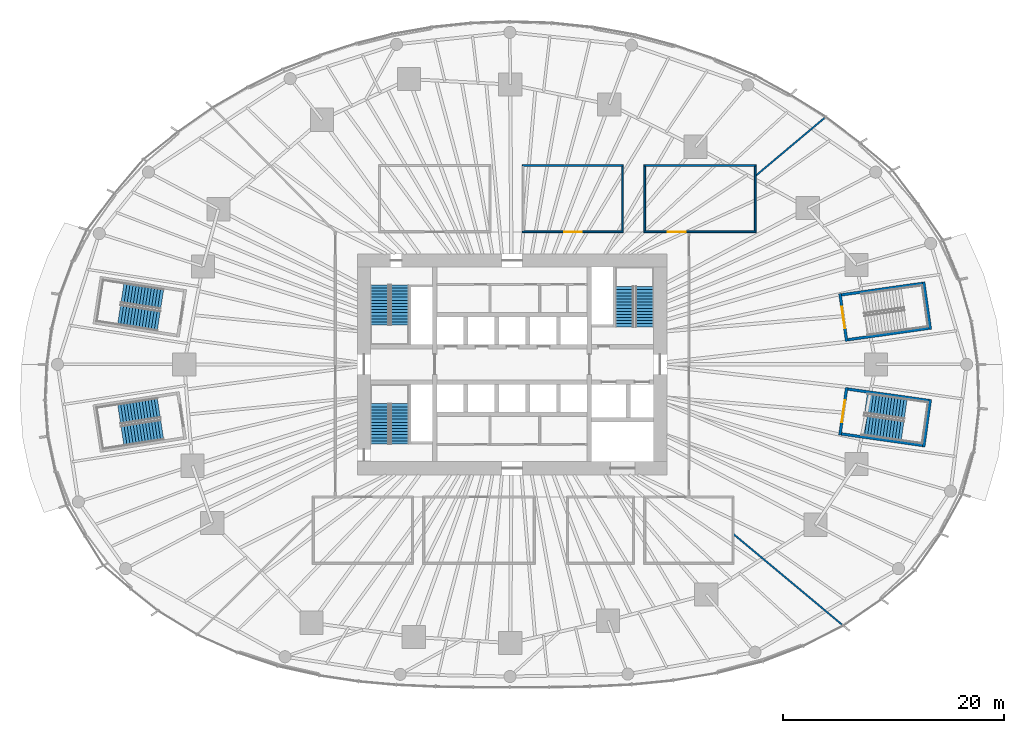
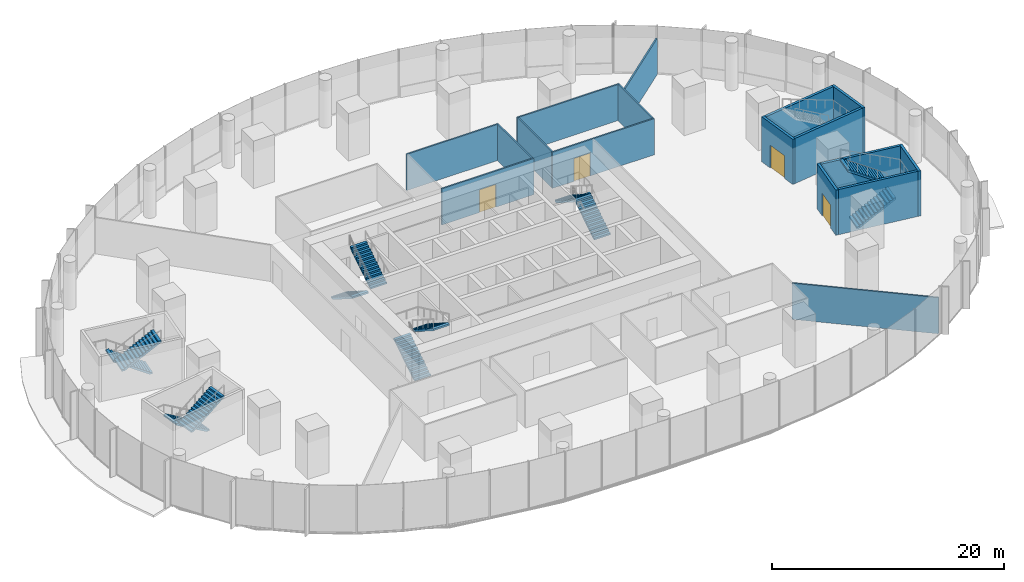
# One storey, part 14 of 28: 17 walls, 12 stair flights, 4 doors, 4 openings, 6 elements without a shape of their own.
"""IFC4 building model written with IfcOpenShell, lengths in metres."""

from ifc_helpers import new_model, si_unit, direction, frame, frame_2d, origin, place, context, subcontext, project, spatial, polyline, rectangle, outline, extrude, material, layer, layer_set, type_object, element, fill, aggregate, save


model = new_model("IFC4")

# Units and contexts
model_context = context("Model", 3, precision=1e-05, world=origin(), true_north=direction((0.0, 1.0)))
body_context = subcontext(model_context, "Body", "Model", "MODEL_VIEW")
ifc_project = project(units=[si_unit("LENGTHUNIT", "METRE"), si_unit("AREAUNIT", "SQUARE_METRE"), si_unit("VOLUMEUNIT", "CUBIC_METRE"), si_unit("PLANEANGLEUNIT", "RADIAN"), si_unit("MASSUNIT", "GRAM", prefix="KILO")], contexts=[model_context])

# Site, building, storey
site_placement = place(None, origin())
site = spatial("IfcSite", under=ifc_project, at=site_placement, CompositionType="ELEMENT")
building_placement = place(site_placement, origin())
building = spatial("IfcBuilding", under=site, at=building_placement, Name="Ghaith Harvest Tower", CompositionType="ELEMENT")
storey_placement = place(building_placement, frame((0.0, 0.0, 5.0)))
storey = spatial("IfcBuildingStorey", under=building, at=storey_placement, Name="L01", CompositionType="ELEMENT", Elevation=5.0)

# Walls
ifc_material_1 = material(Name="Gypsum board on steel studs", Category="steel")
ifc_layer_1 = layer(ifc_material_1, 0.14990234375)
ifc_layer_set_1 = layer_set([ifc_layer_1], Name="PARTITION 150")
wall_type_1 = type_object("IfcWallType", Name="PARTITION 150", PredefinedType="PARTITIONING", material=ifc_layer_set_1)
wall_1_placement = place(storey_placement, frame((20.02001953125, -15.351318359375, 0.0), z_axis=(0.0, 0.0, 1.0), x_axis=(0.768090061495, -0.640341828582, 0.0)))
element("IfcWall", 1, at=wall_1_placement, inside=storey, type_object=wall_type_1, Name="Partition L01 zone division", PredefinedType="PARTITIONING", context=body_context, shape_type="SweptSolid", body=[
    extrude(rectangle(XDim=12.81201171875, YDim=0.14990234375, at=frame_2d((6.406005859375, 0.0))), origin(), (0.0, 0.0, 1.0), 3.800048828125),
])
wall_2_placement = place(storey_placement, frame((22.02001953125, 17.053466796875, 0.0), z_axis=(0.0, 0.0, 1.0), x_axis=(0.765913812557, 0.64294325701, 0.0)))
element("IfcWall", 2, at=wall_2_placement, inside=storey, type_object=wall_type_1, Name="Partition L01 zone division", PredefinedType="PARTITIONING", context=body_context, shape_type="SweptSolid", body=[
    extrude(rectangle(XDim=8.169677734375, YDim=0.14990234375, at=frame_2d((4.0849609375, 0.0))), origin(), (0.0, 0.0, 1.0), 3.800048828125),
])

# Wall, opening, door
wall_3_placement = place(storey_placement, frame((0.925048828125, 12.0, 0.0), z_axis=(0.0, 0.0, 1.0), x_axis=(1.0, 0.0, 0.0)))
wall_3 = element("IfcWall", 3, at=wall_3_placement, inside=storey, type_object=wall_type_1, Name="Partition L01-02", PredefinedType="PARTITIONING", context=body_context, shape_type="SweptSolid", body=[
    extrude(rectangle(XDim=9.14990234375, YDim=0.14990234375, at=frame_2d((4.574951171875, 0.0))), origin(), (0.0, 0.0, 1.0), 3.800048828125),
])
opening_1_placement = place(wall_3_placement, frame((3.77490234375, 0.0, 0.0)))
opening_1 = element("IfcOpeningElement", 4, at=opening_1_placement, cuts=wall_3, Name="Opening 01-029", PredefinedType="OPENING", context=body_context, shape_type="SweptSolid", body=[
    extrude(rectangle(XDim=1.60009765625, YDim=2.39990234375, at=frame_2d((0.800048828125, 1.199951171875))), frame((0.0, 0.0849609375, 0.0), z_axis=(0.0, -1.0, 0.0), x_axis=(1.0, 0.0, 0.0)), (0.0, 0.0, 1.0), 0.169921875),
])
ifc_material_2 = material(Name="Timber door", Category="wood")
door_type_1 = type_object("IfcDoorType", Name="D2 PAIR 1600x2400", OperationType="DOUBLE_DOOR_SINGLE_SWING", PredefinedType="DOOR", material=ifc_material_2)
door_1_placement = place(opening_1_placement, origin())
door_1 = element("IfcDoor", 5, at=door_1_placement, inside=storey, type_object=door_type_1, Name="Servery door", OperationType="DOUBLE_DOOR_SINGLE_SWING", OverallHeight=2.39990234375, OverallWidth=1.60009765625, PredefinedType="DOOR", context=body_context, shape_type="SweptSolid", body=[
    extrude(rectangle(XDim=1.60009765625, YDim=2.39990234375, at=frame_2d((0.800048828125, 1.199951171875))), frame((0.0, 0.02490234375, 0.0), z_axis=(0.0, -1.0, 0.0), x_axis=(1.0, 0.0, 0.0)), (0.0, 0.0, 1.0), 0.050048828125),
])
fill(opening_1, door_1)

# Walls
wall_4_placement = place(storey_placement, frame((0.925048828125, 18.0, 0.0), z_axis=(0.0, 0.0, 1.0), x_axis=(1.0, 0.0, 0.0)))
element("IfcWall", 6, at=wall_4_placement, inside=storey, type_object=wall_type_1, Name="Partition L01-02", PredefinedType="PARTITIONING", context=body_context, shape_type="SweptSolid", body=[
    extrude(rectangle(XDim=9.14990234375, YDim=0.14990234375, at=frame_2d((4.574951171875, 0.0))), origin(), (0.0, 0.0, 1.0), 3.800048828125),
])
wall_5_placement = place(storey_placement, frame((10.0, 12.074951171875, 0.0), z_axis=(0.0, 0.0, 1.0), x_axis=(0.0, 1.0, 0.0)))
element("IfcWall", 7, at=wall_5_placement, inside=storey, type_object=wall_type_1, Name="Partition L01-02", PredefinedType="PARTITIONING", context=body_context, shape_type="SweptSolid", body=[
    extrude(rectangle(XDim=5.85009765625, YDim=0.14990234375, at=frame_2d((2.925048828125, 0.0))), origin(), (0.0, 0.0, 1.0), 3.800048828125),
])

# Wall, opening, door
wall_6_placement = place(storey_placement, frame((11.925048828125, 12.0, 0.0), z_axis=(0.0, 0.0, 1.0), x_axis=(1.0, 0.0, 0.0)))
wall_6 = element("IfcWall", 8, at=wall_6_placement, inside=storey, type_object=wall_type_1, Name="Partition L01-03", PredefinedType="PARTITIONING", context=body_context, shape_type="SweptSolid", body=[
    extrude(rectangle(XDim=10.14990234375, YDim=0.14990234375, at=frame_2d((5.074951171875, 0.0))), origin(), (0.0, 0.0, 1.0), 3.800048828125),
])
opening_2_placement = place(wall_6_placement, frame((2.175048828125, 0.0, 0.0)))
opening_2 = element("IfcOpeningElement", 9, at=opening_2_placement, cuts=wall_6, Name="Opening 01-030", PredefinedType="OPENING", context=body_context, shape_type="SweptSolid", body=[
    extrude(rectangle(XDim=1.60009765625, YDim=2.39990234375, at=frame_2d((0.800048828125, 1.199951171875))), frame((0.0, 0.0849609375, 0.0), z_axis=(0.0, -1.0, 0.0), x_axis=(1.0, 0.0, 0.0)), (0.0, 0.0, 1.0), 0.169921875),
])
door_2_placement = place(opening_2_placement, origin())
door_2 = element("IfcDoor", 10, at=door_2_placement, inside=storey, type_object=door_type_1, Name="Dry store door", OperationType="DOUBLE_DOOR_SINGLE_SWING", OverallHeight=2.39990234375, OverallWidth=1.60009765625, PredefinedType="DOOR", context=body_context, shape_type="SweptSolid", body=[
    extrude(rectangle(XDim=1.60009765625, YDim=2.39990234375, at=frame_2d((0.800048828125, 1.199951171875))), frame((0.0, 0.02490234375, 0.0), z_axis=(0.0, -1.0, 0.0), x_axis=(1.0, 0.0, 0.0)), (0.0, 0.0, 1.0), 0.050048828125),
])
fill(opening_2, door_2)

# Walls
wall_7_placement = place(storey_placement, frame((11.925048828125, 18.0, 0.0), z_axis=(0.0, 0.0, 1.0), x_axis=(1.0, 0.0, 0.0)))
element("IfcWall", 11, at=wall_7_placement, inside=storey, type_object=wall_type_1, Name="Partition L01-03", PredefinedType="PARTITIONING", context=body_context, shape_type="SweptSolid", body=[
    extrude(rectangle(XDim=10.14990234375, YDim=0.14990234375, at=frame_2d((5.074951171875, 0.0))), origin(), (0.0, 0.0, 1.0), 3.800048828125),
])
for number, where, z_axis, x_axis, name in (
    (12, (12.0, 12.074951171875, 0.0), (0.0, 0.0, 1.0), (0.0, 1.0, 0.0), "Partition L01-03"),
    (13, (22.0, 12.074951171875, 0.0), (0.0, 0.0, 1.0), (0.0, 1.0, 0.0), "Partition L01-03"),
):
    element("IfcWall", number, at=place(storey_placement, frame(where, z_axis=z_axis, x_axis=x_axis)), inside=storey, type_object=wall_type_1, Name=name, PredefinedType="PARTITIONING", context=body_context, shape_type="SweptSolid", body=[
        extrude(rectangle(XDim=5.85009765625, YDim=0.14990234375, at=frame_2d((2.925048828125, 0.0))), origin(), (0.0, 0.0, 1.0), 3.800048828125),
    ])

# Wall, opening, door
ifc_material_3 = material(Name="Concrete C40/50", Category="concrete")
ifc_layer_2 = layer(ifc_material_3, 0.25)
ifc_layer_set_2 = layer_set([ifc_layer_2], Name="STAIR ENCLOSURE WALL RC250")
wall_type_2 = type_object("IfcWallType", Name="STAIR ENCLOSURE WALL RC250", PredefinedType="SOLIDWALL", material=ifc_layer_set_2)
wall_8_placement = place(storey_placement, frame((30.281005859375, 2.09130859375, 0.0), z_axis=(0.0, 0.0, 1.0), x_axis=(-0.140250538563, 0.990116046952, 0.0)))
wall_8 = element("IfcWall", 14, at=wall_8_placement, inside=storey, type_object=wall_type_2, Name="Stair PS1 enclosure wall L01", PredefinedType="SOLIDWALL", context=body_context, shape_type="SweptSolid", body=[
    extrude(rectangle(XDim=4.35009765625, YDim=0.25, at=frame_2d((2.175048828125, 0.0))), origin(), (0.0, 0.0, 1.0), 4.75),
])
opening_3_placement = place(wall_8_placement, frame((1.175048828125, 0.0, 0.0)))
opening_3 = element("IfcOpeningElement", 15, at=opening_3_placement, cuts=wall_8, Name="Opening 01-024", PredefinedType="OPENING", context=body_context, shape_type="SweptSolid", body=[
    extrude(rectangle(XDim=2.0, YDim=2.39990234375, at=frame_2d((1.0, 1.199951171875))), frame((0.0, 0.135009765625, 0.0), z_axis=(0.0, -1.0, 0.0), x_axis=(1.0, 0.0, 0.0)), (0.0, 0.0, 1.0), 0.27001953125),
])
ifc_material_4 = material(Name="Steel fire door", Category="steel")
door_type_2 = type_object("IfcDoorType", Name="D8 FD90 PAIR 2000x2400", OperationType="DOUBLE_DOOR_SINGLE_SWING", PredefinedType="DOOR", material=ifc_material_4)
door_3_placement = place(opening_3_placement, origin())
door_3 = element("IfcDoor", 16, at=door_3_placement, inside=storey, type_object=door_type_2, Name="Stair PS1 doors", OperationType="DOUBLE_DOOR_SINGLE_SWING", OverallHeight=2.39990234375, OverallWidth=2.0, PredefinedType="DOOR", context=body_context, shape_type="SweptSolid", body=[
    extrude(rectangle(XDim=2.0, YDim=2.39990234375, at=frame_2d((1.0, 1.199951171875))), frame((0.0, 0.02490234375, 0.0), z_axis=(0.0, -1.0, 0.0), x_axis=(1.0, 0.0, 0.0)), (0.0, 0.0, 1.0), 0.050048828125),
])
fill(opening_3, door_3)

# Walls
wall_9_placement = place(storey_placement, frame((37.245361328125, 7.47119140625, 0.0), z_axis=(0.0, 0.0, 1.0), x_axis=(0.140195519194, -0.99012383892, 0.0)))
element("IfcWall", 17, at=wall_9_placement, inside=storey, type_object=wall_type_2, Name="Stair PS1 enclosure wall L01", PredefinedType="SOLIDWALL", context=body_context, shape_type="SweptSolid", body=[
    extrude(rectangle(XDim=4.35009765625, YDim=0.25, at=frame_2d((2.175048828125, 0.0))), origin(), (0.0, 0.0, 1.0), 4.75),
])
for number, where, z_axis, x_axis, name in (
    (18, (30.38720703125, 2.232666015625, 0.0), (0.0, 0.0, 1.0), (0.990120977541, 0.140215726052, 0.0), "Stair PS1 enclosure wall L01"),
    (19, (37.13916015625, 7.329833984375, 0.0), (0.0, 0.0, 1.0), (-0.990120977541, -0.140215726052, 0.0), "Stair PS1 enclosure wall L01"),
):
    element("IfcWall", number, at=place(storey_placement, frame(where, z_axis=z_axis, x_axis=x_axis)), inside=storey, type_object=wall_type_2, Name=name, PredefinedType="SOLIDWALL", context=body_context, shape_type="SweptSolid", body=[
        extrude(rectangle(XDim=7.39990234375, YDim=0.25, at=frame_2d((3.699951171875, 0.0))), origin(), (0.0, 0.0, 1.0), 4.75),
    ])

# Wall, opening, door
wall_10_placement = place(storey_placement, frame((29.6708984375, -6.3984375, 0.0), z_axis=(0.0, 0.0, 1.0), x_axis=(0.140250538563, 0.990116046952, 0.0)))
wall_10 = element("IfcWall", 20, at=wall_10_placement, inside=storey, type_object=wall_type_2, Name="Stair PS4 enclosure wall L01", PredefinedType="SOLIDWALL", context=body_context, shape_type="SweptSolid", body=[
    extrude(rectangle(XDim=4.35009765625, YDim=0.25, at=frame_2d((2.175048828125, 0.0))), origin(), (0.0, 0.0, 1.0), 4.75),
])
opening_4_placement = place(wall_10_placement, frame((1.175048828125, 0.0, 0.0)))
opening_4 = element("IfcOpeningElement", 21, at=opening_4_placement, cuts=wall_10, Name="Opening 01-027", PredefinedType="OPENING", context=body_context, shape_type="SweptSolid", body=[
    extrude(rectangle(XDim=2.0, YDim=2.39990234375, at=frame_2d((1.0, 1.199951171875))), frame((0.0, 0.135009765625, 0.0), z_axis=(0.0, -1.0, 0.0), x_axis=(1.0, 0.0, 0.0)), (0.0, 0.0, 1.0), 0.27001953125),
])
door_4_placement = place(opening_4_placement, origin())
door_4 = element("IfcDoor", 22, at=door_4_placement, inside=storey, type_object=door_type_2, Name="Stair PS4 doors", OperationType="DOUBLE_DOOR_SINGLE_SWING", OverallHeight=2.39990234375, OverallWidth=2.0, PredefinedType="DOOR", context=body_context, shape_type="SweptSolid", body=[
    extrude(rectangle(XDim=2.0, YDim=2.39990234375, at=frame_2d((1.0, 1.199951171875))), frame((0.0, 0.02490234375, 0.0), z_axis=(0.0, -1.0, 0.0), x_axis=(1.0, 0.0, 0.0)), (0.0, 0.0, 1.0), 0.050048828125),
])
fill(opening_4, door_4)

# Walls
wall_11_placement = place(storey_placement, frame((37.855224609375, -3.1640625, 0.0), z_axis=(0.0, 0.0, 1.0), x_axis=(-0.140195519194, -0.99012383892, 0.0)))
element("IfcWall", 23, at=wall_11_placement, inside=storey, type_object=wall_type_2, Name="Stair PS4 enclosure wall L01", PredefinedType="SOLIDWALL", context=body_context, shape_type="SweptSolid", body=[
    extrude(rectangle(XDim=4.35009765625, YDim=0.25, at=frame_2d((2.175048828125, 0.0))), origin(), (0.0, 0.0, 1.0), 4.75),
])
for number, where, z_axis, x_axis, name in (
    (24, (29.812255859375, -6.292236328125, 0.0), (0.0, 0.0, 1.0), (0.990120977541, -0.140215726052, 0.0), "Stair PS4 enclosure wall L01"),
    (25, (37.714111328125, -3.270263671875, 0.0), (0.0, 0.0, 1.0), (-0.990120977541, 0.140215726052, 0.0), "Stair PS4 enclosure wall L01"),
):
    element("IfcWall", number, at=place(storey_placement, frame(where, z_axis=z_axis, x_axis=x_axis)), inside=storey, type_object=wall_type_2, Name=name, PredefinedType="SOLIDWALL", context=body_context, shape_type="SweptSolid", body=[
        extrude(rectangle(XDim=7.39990234375, YDim=0.25, at=frame_2d((3.699951171875, 0.0))), origin(), (0.0, 0.0, 1.0), 4.75),
    ])

# Stair, stair flights
ifc_material_5 = material(Name="Concrete C40/50, precast", Category="concrete")
stair_type_1 = type_object("IfcStairType", Name="CORE STAIR 28R", PredefinedType="HALF_TURN_STAIR", material=ifc_material_5)
stair_1_placement = place(storey_placement, origin())
stair_1 = element("IfcStair", 26, at=stair_1_placement, inside=storey, type_object=stair_type_1, Name="Stair ST1 L01", PredefinedType="HALF_TURN_STAIR")
ifc_material_6 = material(Name="Concrete C40/50, precast", Category="concrete")
stair_flight_type_1 = type_object("IfcStairFlightType", Name="CORE FLIGHT 14R 1600", PredefinedType="STRAIGHT", material=ifc_material_6)
stair_flight_1_placement = place(storey_placement, frame((-12.0, 7.199951171875, 0.0), z_axis=(0.0, 0.0, 1.0), x_axis=(0.0, -1.0, 0.0)))
stair_flight_1 = element("IfcStairFlight", 27, at=stair_flight_1_placement, type_object=stair_flight_type_1, Name="ST1 flight 1", NumberOfRisers=14, NumberOfTreads=13, PredefinedType="STRAIGHT", RiserHeight=0.178571429, TreadLength=0.28, context=body_context, shape_type="SweptSolid", body=[
    extrude(outline(polyline([(0.0, 0.0), (0.0, 0.178466796875), (0.280029296875, 0.178466796875), (0.280029296875, 0.357177734375), (0.56005859375, 0.357177734375), (0.56005859375, 0.53564453125), (0.840087890625, 0.53564453125), (0.840087890625, 0.71435546875), (1.1201171875, 0.71435546875), (1.1201171875, 0.892822265625), (1.39990234375, 0.892822265625), (1.39990234375, 1.071533203125), (1.679931640625, 1.071533203125), (1.679931640625, 1.25), (1.9599609375, 1.25), (1.9599609375, 1.428466796875), (2.239990234375, 1.428466796875), (2.239990234375, 1.607177734375), (2.52001953125, 1.607177734375), (2.52001953125, 1.78564453125), (2.800048828125, 1.78564453125), (2.800048828125, 1.96435546875), (3.080078125, 1.96435546875), (3.080078125, 2.142822265625), (3.360107421875, 2.142822265625), (3.360107421875, 2.321533203125), (3.639892578125, 2.321533203125), (3.639892578125, 2.5), (3.639892578125, 2.1435546875), (0.27880859375, 0.0), (0.0, 0.0)])), frame((0.0, 0.800048828125, 0.0), z_axis=(0.0, -1.0, 0.0), x_axis=(1.0, 0.0, 0.0)), (0.0, 0.0, 1.0), 1.60009765625),
])
stair_flight_2_placement = place(storey_placement, frame((-10.14990234375, 3.56005859375, 2.5), z_axis=(0.0, 0.0, 1.0), x_axis=(0.0, 1.0, 0.0)))
stair_flight_2 = element("IfcStairFlight", 28, at=stair_flight_2_placement, type_object=stair_flight_type_1, Name="ST1 flight 2", NumberOfRisers=14, NumberOfTreads=13, PredefinedType="STRAIGHT", RiserHeight=0.178571429, TreadLength=0.28, context=body_context, shape_type="SweptSolid", body=[
    extrude(outline(polyline([(0.0, 0.0), (0.0, 0.178466796875), (0.280029296875, 0.178466796875), (0.280029296875, 0.357177734375), (0.56005859375, 0.357177734375), (0.56005859375, 0.53564453125), (0.840087890625, 0.53564453125), (0.840087890625, 0.71435546875), (1.1201171875, 0.71435546875), (1.1201171875, 0.892822265625), (1.39990234375, 0.892822265625), (1.39990234375, 1.071533203125), (1.679931640625, 1.071533203125), (1.679931640625, 1.25), (1.9599609375, 1.25), (1.9599609375, 1.428466796875), (2.239990234375, 1.428466796875), (2.239990234375, 1.607177734375), (2.52001953125, 1.607177734375), (2.52001953125, 1.78564453125), (2.800048828125, 1.78564453125), (2.800048828125, 1.96435546875), (3.080078125, 1.96435546875), (3.080078125, 2.142822265625), (3.360107421875, 2.142822265625), (3.360107421875, 2.321533203125), (3.639892578125, 2.321533203125), (3.639892578125, 2.5), (3.639892578125, 2.1435546875), (0.27880859375, 0.0), (0.0, 0.0)])), frame((0.0, 0.800048828125, 0.0), z_axis=(0.0, -1.0, 0.0), x_axis=(1.0, 0.0, 0.0)), (0.0, 0.0, 1.0), 1.60009765625),
])
aggregate(stair_1, [stair_flight_1, stair_flight_2])

stair_2_placement = place(storey_placement, origin())
stair_2 = element("IfcStair", 29, at=stair_2_placement, inside=storey, type_object=stair_type_1, Name="Stair ST3 L01", PredefinedType="HALF_TURN_STAIR")
stair_flight_3_placement = place(storey_placement, frame((-12.0, -7.199951171875, 0.0), z_axis=(0.0, 0.0, 1.0), x_axis=(0.0, 1.0, 0.0)))
stair_flight_3 = element("IfcStairFlight", 30, at=stair_flight_3_placement, type_object=stair_flight_type_1, Name="ST3 flight 1", NumberOfRisers=14, NumberOfTreads=13, PredefinedType="STRAIGHT", RiserHeight=0.178571429, TreadLength=0.28, context=body_context, shape_type="SweptSolid", body=[
    extrude(outline(polyline([(0.0, 0.0), (0.0, 0.178466796875), (0.280029296875, 0.178466796875), (0.280029296875, 0.357177734375), (0.56005859375, 0.357177734375), (0.56005859375, 0.53564453125), (0.840087890625, 0.53564453125), (0.840087890625, 0.71435546875), (1.1201171875, 0.71435546875), (1.1201171875, 0.892822265625), (1.39990234375, 0.892822265625), (1.39990234375, 1.071533203125), (1.679931640625, 1.071533203125), (1.679931640625, 1.25), (1.9599609375, 1.25), (1.9599609375, 1.428466796875), (2.239990234375, 1.428466796875), (2.239990234375, 1.607177734375), (2.52001953125, 1.607177734375), (2.52001953125, 1.78564453125), (2.800048828125, 1.78564453125), (2.800048828125, 1.96435546875), (3.080078125, 1.96435546875), (3.080078125, 2.142822265625), (3.360107421875, 2.142822265625), (3.360107421875, 2.321533203125), (3.639892578125, 2.321533203125), (3.639892578125, 2.5), (3.639892578125, 2.1435546875), (0.27880859375, 0.0), (0.0, 0.0)])), frame((0.0, 0.800048828125, 0.0), z_axis=(0.0, -1.0, 0.0), x_axis=(1.0, 0.0, 0.0)), (0.0, 0.0, 1.0), 1.60009765625),
])
stair_flight_4_placement = place(storey_placement, frame((-10.14990234375, -3.56005859375, 2.5), z_axis=(0.0, 0.0, 1.0), x_axis=(0.0, -1.0, 0.0)))
stair_flight_4 = element("IfcStairFlight", 31, at=stair_flight_4_placement, type_object=stair_flight_type_1, Name="ST3 flight 2", NumberOfRisers=14, NumberOfTreads=13, PredefinedType="STRAIGHT", RiserHeight=0.178571429, TreadLength=0.28, context=body_context, shape_type="SweptSolid", body=[
    extrude(outline(polyline([(0.0, 0.0), (0.0, 0.178466796875), (0.280029296875, 0.178466796875), (0.280029296875, 0.357177734375), (0.56005859375, 0.357177734375), (0.56005859375, 0.53564453125), (0.840087890625, 0.53564453125), (0.840087890625, 0.71435546875), (1.1201171875, 0.71435546875), (1.1201171875, 0.892822265625), (1.39990234375, 0.892822265625), (1.39990234375, 1.071533203125), (1.679931640625, 1.071533203125), (1.679931640625, 1.25), (1.9599609375, 1.25), (1.9599609375, 1.428466796875), (2.239990234375, 1.428466796875), (2.239990234375, 1.607177734375), (2.52001953125, 1.607177734375), (2.52001953125, 1.78564453125), (2.800048828125, 1.78564453125), (2.800048828125, 1.96435546875), (3.080078125, 1.96435546875), (3.080078125, 2.142822265625), (3.360107421875, 2.142822265625), (3.360107421875, 2.321533203125), (3.639892578125, 2.321533203125), (3.639892578125, 2.5), (3.639892578125, 2.1435546875), (0.27880859375, 0.0), (0.0, 0.0)])), frame((0.0, 0.800048828125, 0.0), z_axis=(0.0, -1.0, 0.0), x_axis=(1.0, 0.0, 0.0)), (0.0, 0.0, 1.0), 1.60009765625),
])
aggregate(stair_2, [stair_flight_3, stair_flight_4])

stair_3_placement = place(storey_placement, origin())
stair_3 = element("IfcStair", 32, at=stair_3_placement, inside=storey, type_object=stair_type_1, Name="Stair ST2 L01", PredefinedType="HALF_TURN_STAIR")
stair_flight_5_placement = place(storey_placement, frame((12.0, 3.39990234375, 0.0), z_axis=(0.0, 0.0, 1.0), x_axis=(0.0, 1.0, 0.0)))
stair_flight_5 = element("IfcStairFlight", 33, at=stair_flight_5_placement, type_object=stair_flight_type_1, Name="ST2 flight 1", NumberOfRisers=14, NumberOfTreads=13, PredefinedType="STRAIGHT", RiserHeight=0.178571429, TreadLength=0.28, context=body_context, shape_type="SweptSolid", body=[
    extrude(outline(polyline([(0.0, 0.0), (0.0, 0.178466796875), (0.280029296875, 0.178466796875), (0.280029296875, 0.357177734375), (0.56005859375, 0.357177734375), (0.56005859375, 0.53564453125), (0.840087890625, 0.53564453125), (0.840087890625, 0.71435546875), (1.1201171875, 0.71435546875), (1.1201171875, 0.892822265625), (1.39990234375, 0.892822265625), (1.39990234375, 1.071533203125), (1.679931640625, 1.071533203125), (1.679931640625, 1.25), (1.9599609375, 1.25), (1.9599609375, 1.428466796875), (2.239990234375, 1.428466796875), (2.239990234375, 1.607177734375), (2.52001953125, 1.607177734375), (2.52001953125, 1.78564453125), (2.800048828125, 1.78564453125), (2.800048828125, 1.96435546875), (3.080078125, 1.96435546875), (3.080078125, 2.142822265625), (3.360107421875, 2.142822265625), (3.360107421875, 2.321533203125), (3.639892578125, 2.321533203125), (3.639892578125, 2.5), (3.639892578125, 2.1435546875), (0.27880859375, 0.0), (0.0, 0.0)])), frame((0.0, 0.800048828125, 0.0), z_axis=(0.0, -1.0, 0.0), x_axis=(1.0, 0.0, 0.0)), (0.0, 0.0, 1.0), 1.60009765625),
])
stair_flight_6_placement = place(storey_placement, frame((10.14990234375, 7.0400390625, 2.5), z_axis=(0.0, 0.0, 1.0), x_axis=(0.0, -1.0, 0.0)))
stair_flight_6 = element("IfcStairFlight", 34, at=stair_flight_6_placement, type_object=stair_flight_type_1, Name="ST2 flight 2", NumberOfRisers=14, NumberOfTreads=13, PredefinedType="STRAIGHT", RiserHeight=0.178571429, TreadLength=0.28, context=body_context, shape_type="SweptSolid", body=[
    extrude(outline(polyline([(0.0, 0.0), (0.0, 0.178466796875), (0.280029296875, 0.178466796875), (0.280029296875, 0.357177734375), (0.56005859375, 0.357177734375), (0.56005859375, 0.53564453125), (0.840087890625, 0.53564453125), (0.840087890625, 0.71435546875), (1.1201171875, 0.71435546875), (1.1201171875, 0.892822265625), (1.39990234375, 0.892822265625), (1.39990234375, 1.071533203125), (1.679931640625, 1.071533203125), (1.679931640625, 1.25), (1.9599609375, 1.25), (1.9599609375, 1.428466796875), (2.239990234375, 1.428466796875), (2.239990234375, 1.607177734375), (2.52001953125, 1.607177734375), (2.52001953125, 1.78564453125), (2.800048828125, 1.78564453125), (2.800048828125, 1.96435546875), (3.080078125, 1.96435546875), (3.080078125, 2.142822265625), (3.360107421875, 2.142822265625), (3.360107421875, 2.321533203125), (3.639892578125, 2.321533203125), (3.639892578125, 2.5), (3.639892578125, 2.1435546875), (0.27880859375, 0.0), (0.0, 0.0)])), frame((0.0, 0.800048828125, 0.0), z_axis=(0.0, -1.0, 0.0), x_axis=(1.0, 0.0, 0.0)), (0.0, 0.0, 1.0), 1.60009765625),
])
aggregate(stair_3, [stair_flight_5, stair_flight_6])

ifc_material_7 = material(Name="Concrete C40/50, precast", Category="concrete")
stair_type_2 = type_object("IfcStairType", Name="PODIUM STAIR 28R", PredefinedType="HALF_TURN_STAIR", material=ifc_material_7)
stair_4_placement = place(storey_placement, origin())
stair_4 = element("IfcStair", 35, at=stair_4_placement, inside=storey, type_object=stair_type_2, Name="Stair PS2 L01", PredefinedType="HALF_TURN_STAIR")
ifc_material_8 = material(Name="Concrete C40/50, precast", Category="concrete")
stair_flight_type_2 = type_object("IfcStairFlightType", Name="PODIUM FLIGHT 14R 1800", PredefinedType="STRAIGHT", material=ifc_material_8)
stair_flight_7_placement = place(storey_placement, frame((-31.6650390625, 5.934814453125, 0.0), z_axis=(0.0, 0.0, 1.0), x_axis=(-0.988249264984, 0.152850875882, 0.0)))
stair_flight_7 = element("IfcStairFlight", 36, at=stair_flight_7_placement, type_object=stair_flight_type_2, Name="PS2 flight 1", NumberOfRisers=14, NumberOfTreads=13, PredefinedType="STRAIGHT", RiserHeight=0.178571429, TreadLength=0.28, context=body_context, shape_type="SweptSolid", body=[
    extrude(outline(polyline([(0.0, 0.0), (0.0, 0.178466796875), (0.280029296875, 0.178466796875), (0.280029296875, 0.357177734375), (0.56005859375, 0.357177734375), (0.56005859375, 0.53564453125), (0.840087890625, 0.53564453125), (0.840087890625, 0.71435546875), (1.1201171875, 0.71435546875), (1.1201171875, 0.892822265625), (1.39990234375, 0.892822265625), (1.39990234375, 1.071533203125), (1.679931640625, 1.071533203125), (1.679931640625, 1.25), (1.9599609375, 1.25), (1.9599609375, 1.428466796875), (2.239990234375, 1.428466796875), (2.239990234375, 1.607177734375), (2.52001953125, 1.607177734375), (2.52001953125, 1.78564453125), (2.800048828125, 1.78564453125), (2.800048828125, 1.96435546875), (3.080078125, 1.96435546875), (3.080078125, 2.142822265625), (3.360107421875, 2.142822265625), (3.360107421875, 2.321533203125), (3.639892578125, 2.321533203125), (3.639892578125, 2.5), (3.639892578125, 2.1435546875), (0.27880859375, 0.0), (0.0, 0.0)])), frame((0.0, 0.89990234375, 0.0), z_axis=(0.0, -1.0, 0.0), x_axis=(1.0, 0.0, 0.0)), (0.0, 0.0, 1.0), 1.800048828125),
])
stair_flight_8_placement = place(storey_placement, frame((-35.575439453125, 4.465087890625, 2.5), z_axis=(0.0, 0.0, 1.0), x_axis=(0.988249264984, -0.152850875882, 0.0)))
stair_flight_8 = element("IfcStairFlight", 37, at=stair_flight_8_placement, type_object=stair_flight_type_2, Name="PS2 flight 2", NumberOfRisers=14, NumberOfTreads=13, PredefinedType="STRAIGHT", RiserHeight=0.178571429, TreadLength=0.28, context=body_context, shape_type="SweptSolid", body=[
    extrude(outline(polyline([(0.0, 0.0), (0.0, 0.178466796875), (0.280029296875, 0.178466796875), (0.280029296875, 0.357177734375), (0.56005859375, 0.357177734375), (0.56005859375, 0.53564453125), (0.840087890625, 0.53564453125), (0.840087890625, 0.71435546875), (1.1201171875, 0.71435546875), (1.1201171875, 0.892822265625), (1.39990234375, 0.892822265625), (1.39990234375, 1.071533203125), (1.679931640625, 1.071533203125), (1.679931640625, 1.25), (1.9599609375, 1.25), (1.9599609375, 1.428466796875), (2.239990234375, 1.428466796875), (2.239990234375, 1.607177734375), (2.52001953125, 1.607177734375), (2.52001953125, 1.78564453125), (2.800048828125, 1.78564453125), (2.800048828125, 1.96435546875), (3.080078125, 1.96435546875), (3.080078125, 2.142822265625), (3.360107421875, 2.142822265625), (3.360107421875, 2.321533203125), (3.639892578125, 2.321533203125), (3.639892578125, 2.5), (3.639892578125, 2.1435546875), (0.27880859375, 0.0), (0.0, 0.0)])), frame((0.0, 0.89990234375, 0.0), z_axis=(0.0, -1.0, 0.0), x_axis=(1.0, 0.0, 0.0)), (0.0, 0.0, 1.0), 1.800048828125),
])
aggregate(stair_4, [stair_flight_7, stair_flight_8])

stair_5_placement = place(storey_placement, origin())
stair_5 = element("IfcStair", 38, at=stair_5_placement, inside=storey, type_object=stair_type_2, Name="Stair PS3 L01", PredefinedType="HALF_TURN_STAIR")
stair_flight_9_placement = place(storey_placement, frame((-31.978271484375, -3.90869140625, 0.0), z_axis=(0.0, 0.0, 1.0), x_axis=(-0.988249264936, -0.152850876192, 0.0)))
stair_flight_9 = element("IfcStairFlight", 39, at=stair_flight_9_placement, type_object=stair_flight_type_2, Name="PS3 flight 1", NumberOfRisers=14, NumberOfTreads=13, PredefinedType="STRAIGHT", RiserHeight=0.178571429, TreadLength=0.28, context=body_context, shape_type="SweptSolid", body=[
    extrude(outline(polyline([(0.0, 0.0), (0.0, 0.178466796875), (0.280029296875, 0.178466796875), (0.280029296875, 0.357177734375), (0.56005859375, 0.357177734375), (0.56005859375, 0.53564453125), (0.840087890625, 0.53564453125), (0.840087890625, 0.71435546875), (1.1201171875, 0.71435546875), (1.1201171875, 0.892822265625), (1.39990234375, 0.892822265625), (1.39990234375, 1.071533203125), (1.679931640625, 1.071533203125), (1.679931640625, 1.25), (1.9599609375, 1.25), (1.9599609375, 1.428466796875), (2.239990234375, 1.428466796875), (2.239990234375, 1.607177734375), (2.52001953125, 1.607177734375), (2.52001953125, 1.78564453125), (2.800048828125, 1.78564453125), (2.800048828125, 1.96435546875), (3.080078125, 1.96435546875), (3.080078125, 2.142822265625), (3.360107421875, 2.142822265625), (3.360107421875, 2.321533203125), (3.639892578125, 2.321533203125), (3.639892578125, 2.5), (3.639892578125, 2.1435546875), (0.27880859375, 0.0), (0.0, 0.0)])), frame((0.0, 0.89990234375, 0.0), z_axis=(0.0, -1.0, 0.0), x_axis=(1.0, 0.0, 0.0)), (0.0, 0.0, 1.0), 1.800048828125),
])
stair_flight_10_placement = place(storey_placement, frame((-35.26220703125, -6.4912109375, 2.5), z_axis=(0.0, 0.0, 1.0), x_axis=(0.988249264936, 0.152850876192, 0.0)))
stair_flight_10 = element("IfcStairFlight", 40, at=stair_flight_10_placement, type_object=stair_flight_type_2, Name="PS3 flight 2", NumberOfRisers=14, NumberOfTreads=13, PredefinedType="STRAIGHT", RiserHeight=0.178571429, TreadLength=0.28, context=body_context, shape_type="SweptSolid", body=[
    extrude(outline(polyline([(0.0, 0.0), (0.0, 0.178466796875), (0.280029296875, 0.178466796875), (0.280029296875, 0.357177734375), (0.56005859375, 0.357177734375), (0.56005859375, 0.53564453125), (0.840087890625, 0.53564453125), (0.840087890625, 0.71435546875), (1.1201171875, 0.71435546875), (1.1201171875, 0.892822265625), (1.39990234375, 0.892822265625), (1.39990234375, 1.071533203125), (1.679931640625, 1.071533203125), (1.679931640625, 1.25), (1.9599609375, 1.25), (1.9599609375, 1.428466796875), (2.239990234375, 1.428466796875), (2.239990234375, 1.607177734375), (2.52001953125, 1.607177734375), (2.52001953125, 1.78564453125), (2.800048828125, 1.78564453125), (2.800048828125, 1.96435546875), (3.080078125, 1.96435546875), (3.080078125, 2.142822265625), (3.360107421875, 2.142822265625), (3.360107421875, 2.321533203125), (3.639892578125, 2.321533203125), (3.639892578125, 2.5), (3.639892578125, 2.1435546875), (0.27880859375, 0.0), (0.0, 0.0)])), frame((0.0, 0.89990234375, 0.0), z_axis=(0.0, -1.0, 0.0), x_axis=(1.0, 0.0, 0.0)), (0.0, 0.0, 1.0), 1.800048828125),
])
aggregate(stair_5, [stair_flight_9, stair_flight_10])

stair_6_placement = place(storey_placement, origin())
stair_6 = element("IfcStair", 41, at=stair_6_placement, inside=storey, type_object=stair_type_2, Name="Stair PS4 L01", PredefinedType="HALF_TURN_STAIR")
stair_flight_11_placement = place(storey_placement, frame((31.73828125, -5.52978515625, 0.0), z_axis=(0.0, 0.0, 1.0), x_axis=(0.990121293058, -0.140213498045, 0.0)))
stair_flight_11 = element("IfcStairFlight", 42, at=stair_flight_11_placement, type_object=stair_flight_type_2, Name="PS4 flight 1", NumberOfRisers=14, NumberOfTreads=13, PredefinedType="STRAIGHT", RiserHeight=0.178571429, TreadLength=0.28, context=body_context, shape_type="SweptSolid", body=[
    extrude(outline(polyline([(0.0, 0.0), (0.0, 0.178466796875), (0.280029296875, 0.178466796875), (0.280029296875, 0.357177734375), (0.56005859375, 0.357177734375), (0.56005859375, 0.53564453125), (0.840087890625, 0.53564453125), (0.840087890625, 0.71435546875), (1.1201171875, 0.71435546875), (1.1201171875, 0.892822265625), (1.39990234375, 0.892822265625), (1.39990234375, 1.071533203125), (1.679931640625, 1.071533203125), (1.679931640625, 1.25), (1.9599609375, 1.25), (1.9599609375, 1.428466796875), (2.239990234375, 1.428466796875), (2.239990234375, 1.607177734375), (2.52001953125, 1.607177734375), (2.52001953125, 1.78564453125), (2.800048828125, 1.78564453125), (2.800048828125, 1.96435546875), (3.080078125, 1.96435546875), (3.080078125, 2.142822265625), (3.360107421875, 2.142822265625), (3.360107421875, 2.321533203125), (3.639892578125, 2.321533203125), (3.639892578125, 2.5), (3.639892578125, 2.1435546875), (0.27880859375, 0.0), (0.0, 0.0)])), frame((0.0, 0.89990234375, 0.0), z_axis=(0.0, -1.0, 0.0), x_axis=(1.0, 0.0, 0.0)), (0.0, 0.0, 1.0), 1.800048828125),
])
stair_flight_12_placement = place(storey_placement, frame((35.629638671875, -4.010498046875, 2.5), z_axis=(0.0, 0.0, 1.0), x_axis=(-0.990121293058, 0.140213498045, 0.0)))
stair_flight_12 = element("IfcStairFlight", 43, at=stair_flight_12_placement, type_object=stair_flight_type_2, Name="PS4 flight 2", NumberOfRisers=14, NumberOfTreads=13, PredefinedType="STRAIGHT", RiserHeight=0.178571429, TreadLength=0.28, context=body_context, shape_type="SweptSolid", body=[
    extrude(outline(polyline([(0.0, 0.0), (0.0, 0.178466796875), (0.280029296875, 0.178466796875), (0.280029296875, 0.357177734375), (0.56005859375, 0.357177734375), (0.56005859375, 0.53564453125), (0.840087890625, 0.53564453125), (0.840087890625, 0.71435546875), (1.1201171875, 0.71435546875), (1.1201171875, 0.892822265625), (1.39990234375, 0.892822265625), (1.39990234375, 1.071533203125), (1.679931640625, 1.071533203125), (1.679931640625, 1.25), (1.9599609375, 1.25), (1.9599609375, 1.428466796875), (2.239990234375, 1.428466796875), (2.239990234375, 1.607177734375), (2.52001953125, 1.607177734375), (2.52001953125, 1.78564453125), (2.800048828125, 1.78564453125), (2.800048828125, 1.96435546875), (3.080078125, 1.96435546875), (3.080078125, 2.142822265625), (3.360107421875, 2.142822265625), (3.360107421875, 2.321533203125), (3.639892578125, 2.321533203125), (3.639892578125, 2.5), (3.639892578125, 2.1435546875), (0.27880859375, 0.0), (0.0, 0.0)])), frame((0.0, 0.89990234375, 0.0), z_axis=(0.0, -1.0, 0.0), x_axis=(1.0, 0.0, 0.0)), (0.0, 0.0, 1.0), 1.800048828125),
])
aggregate(stair_6, [stair_flight_11, stair_flight_12])

save(model, "model.ifc")
